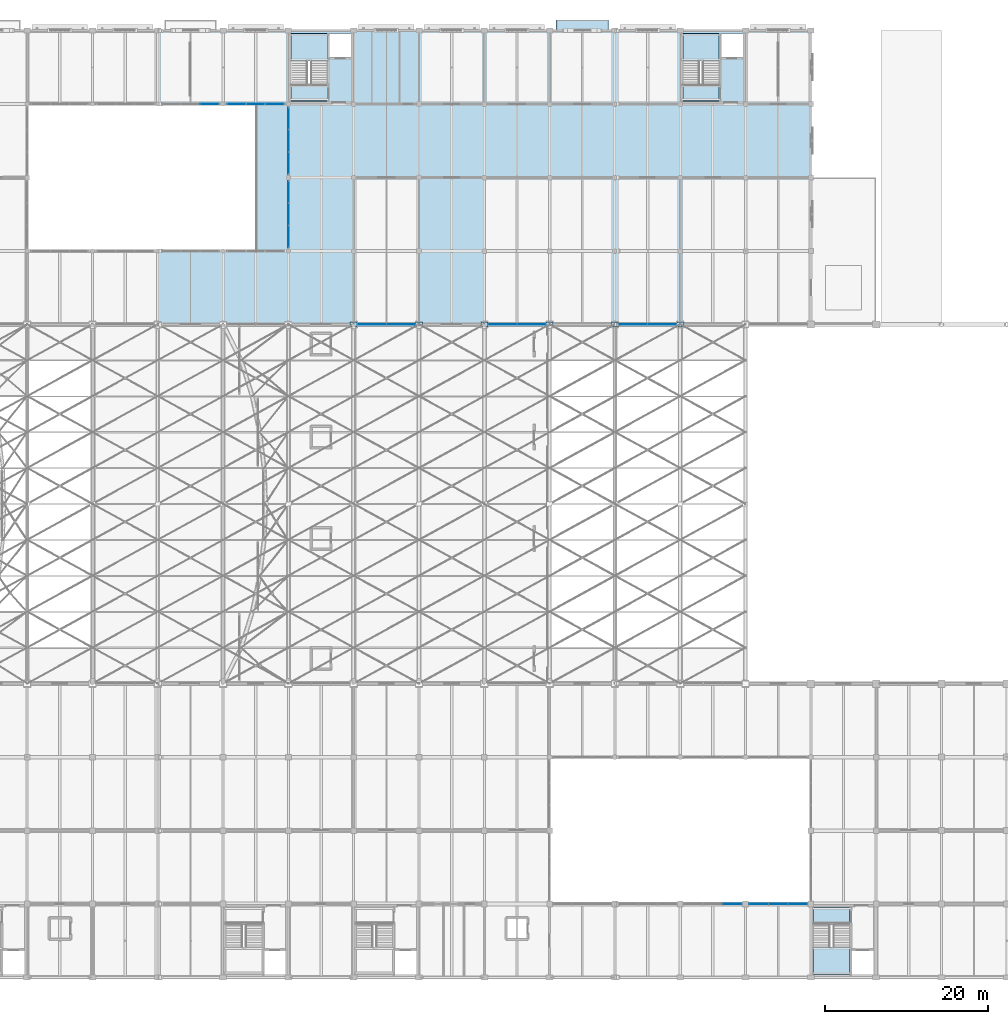
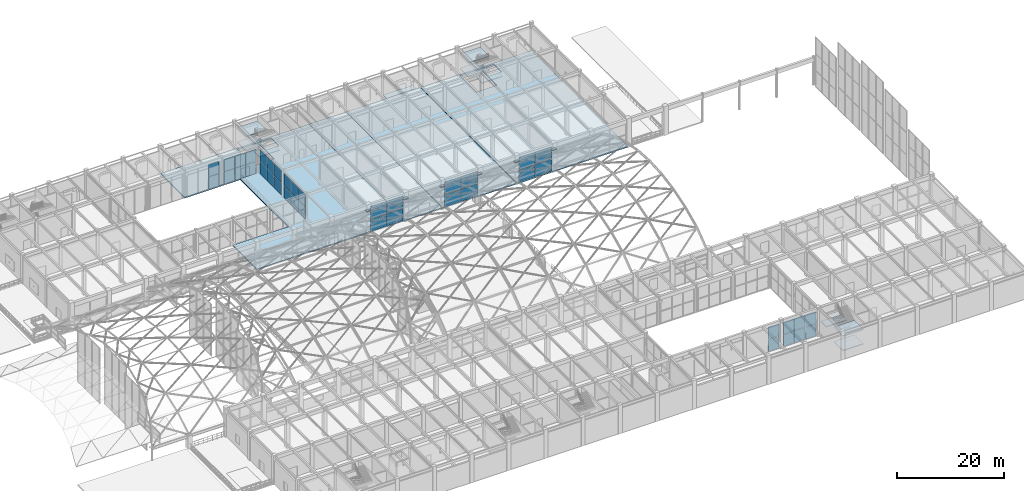
# One storey, part 117 of 163: 46 plates, 14 slabs, 12 elements without a shape of their own.
"""IFC4 building model written with IfcOpenShell, lengths in metres."""

from ifc_helpers import new_model, si_unit, direction, frame, origin, origin_2d, place, context, subcontext, project, spatial, polyline, rectangle, outline, extrude, material, layer, layer_set, type_object, element, aggregate, save


model = new_model("IFC4")

# Units and contexts
model_context = context("Model", 3, precision=1e-05, world=origin(), true_north=direction((0.0, 1.0)))
body_context = subcontext(model_context, "Body", "Model", "MODEL_VIEW")
ifc_project = project(units=[si_unit("LENGTHUNIT", "METRE"), si_unit("AREAUNIT", "SQUARE_METRE"), si_unit("VOLUMEUNIT", "CUBIC_METRE"), si_unit("PLANEANGLEUNIT", "RADIAN"), si_unit("MASSUNIT", "GRAM", prefix="KILO")], contexts=[model_context])

# Site, building, storey
site_placement = place(None, origin())
site = spatial("IfcSite", under=ifc_project, at=site_placement, CompositionType="ELEMENT")
building_placement = place(site_placement, origin())
building = spatial("IfcBuilding", under=site, at=building_placement, Name="Varnabhumi Central Station", CompositionType="ELEMENT")
storey_placement = place(building_placement, frame((0.0, 0.0, 9.60009765625)))
storey = spatial("IfcBuildingStorey", under=building, at=storey_placement, Name="L02", CompositionType="ELEMENT", Elevation=9.60009765625)

# Curtain wall, plates
ifc_material_1 = material(Name="Anodised aluminium 6063-T6", Category="aluminium")
curtain_wall_type_1 = type_object("IfcCurtainWallType", Name="CW-PATIO-LOGGIA-L2", PredefinedType="NOTDEFINED", material=ifc_material_1)
curtain_wall_1_placement = place(storey_placement, origin())
curtain_wall_1 = element("IfcCurtainWall", 1, at=curtain_wall_1_placement, inside=storey, type_object=curtain_wall_type_1, Name="Curtain Wall CW-NP2W1", PredefinedType="NOTDEFINED")
ifc_material_2 = material(Name="Laminated low-E double glazing", Category="glass")
ifc_layer_1 = layer(ifc_material_2, 0.035888671875, Name="Laminated low-E double glazing", Category="glass")
ifc_layer_set_1 = layer_set([ifc_layer_1], Name="Laminated low-E double glazing")
plate_type_1 = type_object("IfcPlateType", Name="CW-PNL-GLZ-2", PredefinedType="CURTAIN_PANEL", material=ifc_layer_set_1)
plate_1_placement = place(storey_placement, frame((80.0, 90.780029296875, 0.0400390625), z_axis=(0.0, 0.0, 1.0), x_axis=(0.0, 1.0, 0.0)))
plate_1 = element("IfcPlate", 2, at=plate_1_placement, type_object=plate_type_1, Name="Glazed Panel CW-NP2W1-P11", PredefinedType="CURTAIN_PANEL", context=body_context, shape_type="SweptSolid", body=[
    extrude(rectangle(XDim=2.639892578125, YDim=0.035888671875, at=origin_2d()), origin(), (0.0, 0.0, 1.0), 2.739990234375),
])
plate_2_placement = place(storey_placement, frame((80.0, 90.780029296875, 2.85986328125), z_axis=(0.0, 0.0, 1.0), x_axis=(0.0, 1.0, 0.0)))
plate_2 = element("IfcPlate", 3, at=plate_2_placement, type_object=plate_type_1, Name="Glazed Panel CW-NP2W1-P12", PredefinedType="CURTAIN_PANEL", context=body_context, shape_type="SweptSolid", body=[
    extrude(rectangle(XDim=2.639892578125, YDim=0.035888671875, at=origin_2d()), origin(), (0.0, 0.0, 1.0), 2.739990234375),
])
plate_3_placement = place(storey_placement, frame((80.0, 93.5, 0.0400390625), z_axis=(0.0, 0.0, 1.0), x_axis=(0.0, 1.0, 0.0)))
plate_3 = element("IfcPlate", 4, at=plate_3_placement, type_object=plate_type_1, Name="Glazed Panel CW-NP2W1-P21", PredefinedType="CURTAIN_PANEL", context=body_context, shape_type="SweptSolid", body=[
    extrude(rectangle(XDim=2.639892578125, YDim=0.035888671875, at=origin_2d()), origin(), (0.0, 0.0, 1.0), 2.739990234375),
])
plate_4_placement = place(storey_placement, frame((80.0, 93.5, 2.85986328125), z_axis=(0.0, 0.0, 1.0), x_axis=(0.0, 1.0, 0.0)))
plate_4 = element("IfcPlate", 5, at=plate_4_placement, type_object=plate_type_1, Name="Glazed Panel CW-NP2W1-P22", PredefinedType="CURTAIN_PANEL", context=body_context, shape_type="SweptSolid", body=[
    extrude(rectangle(XDim=2.639892578125, YDim=0.035888671875, at=origin_2d()), origin(), (0.0, 0.0, 1.0), 2.739990234375),
])
plate_5_placement = place(storey_placement, frame((80.0, 96.219970703125, 0.0400390625), z_axis=(0.0, 0.0, 1.0), x_axis=(0.0, 1.0, 0.0)))
plate_5 = element("IfcPlate", 6, at=plate_5_placement, type_object=plate_type_1, Name="Glazed Panel CW-NP2W1-P31", PredefinedType="CURTAIN_PANEL", context=body_context, shape_type="SweptSolid", body=[
    extrude(rectangle(XDim=2.639892578125, YDim=0.035888671875, at=origin_2d()), origin(), (0.0, 0.0, 1.0), 2.739990234375),
])
plate_6_placement = place(storey_placement, frame((80.0, 96.219970703125, 2.85986328125), z_axis=(0.0, 0.0, 1.0), x_axis=(0.0, 1.0, 0.0)))
plate_6 = element("IfcPlate", 7, at=plate_6_placement, type_object=plate_type_1, Name="Glazed Panel CW-NP2W1-P32", PredefinedType="CURTAIN_PANEL", context=body_context, shape_type="SweptSolid", body=[
    extrude(rectangle(XDim=2.639892578125, YDim=0.035888671875, at=origin_2d()), origin(), (0.0, 0.0, 1.0), 2.739990234375),
])
aggregate(curtain_wall_1, [plate_1, plate_2, plate_3, plate_4, plate_5, plate_6])

curtain_wall_2_placement = place(storey_placement, origin())
curtain_wall_2 = element("IfcCurtainWall", 8, at=curtain_wall_2_placement, inside=storey, type_object=curtain_wall_type_1, Name="Curtain Wall CW-NP2W2", PredefinedType="NOTDEFINED")
plate_7_placement = place(storey_placement, frame((80.0, 99.780029296875, 0.0400390625), z_axis=(0.0, 0.0, 1.0), x_axis=(0.0, 1.0, 0.0)))
plate_7 = element("IfcPlate", 9, at=plate_7_placement, type_object=plate_type_1, Name="Glazed Panel CW-NP2W2-P11", PredefinedType="CURTAIN_PANEL", context=body_context, shape_type="SweptSolid", body=[
    extrude(rectangle(XDim=2.639892578125, YDim=0.035888671875, at=origin_2d()), origin(), (0.0, 0.0, 1.0), 2.739990234375),
])
plate_8_placement = place(storey_placement, frame((80.0, 99.780029296875, 2.85986328125), z_axis=(0.0, 0.0, 1.0), x_axis=(0.0, 1.0, 0.0)))
plate_8 = element("IfcPlate", 10, at=plate_8_placement, type_object=plate_type_1, Name="Glazed Panel CW-NP2W2-P12", PredefinedType="CURTAIN_PANEL", context=body_context, shape_type="SweptSolid", body=[
    extrude(rectangle(XDim=2.639892578125, YDim=0.035888671875, at=origin_2d()), origin(), (0.0, 0.0, 1.0), 2.739990234375),
])
plate_9_placement = place(storey_placement, frame((80.0, 102.5, 0.0400390625), z_axis=(0.0, 0.0, 1.0), x_axis=(0.0, 1.0, 0.0)))
plate_9 = element("IfcPlate", 11, at=plate_9_placement, type_object=plate_type_1, Name="Glazed Panel CW-NP2W2-P21", PredefinedType="CURTAIN_PANEL", context=body_context, shape_type="SweptSolid", body=[
    extrude(rectangle(XDim=2.639892578125, YDim=0.035888671875, at=origin_2d()), origin(), (0.0, 0.0, 1.0), 2.739990234375),
])
plate_10_placement = place(storey_placement, frame((80.0, 102.5, 2.85986328125), z_axis=(0.0, 0.0, 1.0), x_axis=(0.0, 1.0, 0.0)))
plate_10 = element("IfcPlate", 12, at=plate_10_placement, type_object=plate_type_1, Name="Glazed Panel CW-NP2W2-P22", PredefinedType="CURTAIN_PANEL", context=body_context, shape_type="SweptSolid", body=[
    extrude(rectangle(XDim=2.639892578125, YDim=0.035888671875, at=origin_2d()), origin(), (0.0, 0.0, 1.0), 2.739990234375),
])
plate_11_placement = place(storey_placement, frame((80.0, 105.219970703125, 0.0400390625), z_axis=(0.0, 0.0, 1.0), x_axis=(0.0, 1.0, 0.0)))
plate_11 = element("IfcPlate", 13, at=plate_11_placement, type_object=plate_type_1, Name="Glazed Panel CW-NP2W2-P31", PredefinedType="CURTAIN_PANEL", context=body_context, shape_type="SweptSolid", body=[
    extrude(rectangle(XDim=2.639892578125, YDim=0.035888671875, at=origin_2d()), origin(), (0.0, 0.0, 1.0), 2.739990234375),
])
plate_12_placement = place(storey_placement, frame((80.0, 105.219970703125, 2.85986328125), z_axis=(0.0, 0.0, 1.0), x_axis=(0.0, 1.0, 0.0)))
plate_12 = element("IfcPlate", 14, at=plate_12_placement, type_object=plate_type_1, Name="Glazed Panel CW-NP2W2-P32", PredefinedType="CURTAIN_PANEL", context=body_context, shape_type="SweptSolid", body=[
    extrude(rectangle(XDim=2.639892578125, YDim=0.035888671875, at=origin_2d()), origin(), (0.0, 0.0, 1.0), 2.739990234375),
])
aggregate(curtain_wall_2, [plate_7, plate_8, plate_9, plate_10, plate_11, plate_12])

curtain_wall_type_2 = type_object("IfcCurtainWallType", Name="CW-SPINE-SCREEN-L2", PredefinedType="NOTDEFINED", material=ifc_material_1)
curtain_wall_3_placement = place(storey_placement, origin())
curtain_wall_3 = element("IfcCurtainWall", 15, at=curtain_wall_3_placement, inside=storey, type_object=curtain_wall_type_2, Name="Curtain Wall CW-NS208", PredefinedType="NOTDEFINED")
ifc_layer_2 = layer(ifc_material_2, 0.035888671875, Name="Laminated low-E double glazing", Category="glass")
ifc_layer_set_2 = layer_set([ifc_layer_2], Name="Laminated low-E double glazing")
plate_type_2 = type_object("IfcPlateType", Name="CW-PNL-GLZ-5", PredefinedType="CURTAIN_PANEL", material=ifc_layer_set_2)
plate_13_placement = place(storey_placement, frame((90.22509765625, 80.0, 0.0400390625), z_axis=(0.0, 0.0, 1.0), x_axis=(1.0, 0.0, 0.0)))
plate_13 = element("IfcPlate", 16, at=plate_13_placement, type_object=plate_type_2, Name="Glazed Panel CW-NS208-P11", PredefinedType="CURTAIN_PANEL", context=body_context, shape_type="SweptSolid", body=[
    extrude(rectangle(XDim=3.469970703125, YDim=0.035888671875, at=origin_2d()), origin(), (0.0, 0.0, 1.0), 2.739990234375),
])
plate_14_placement = place(storey_placement, frame((90.22509765625, 80.0, 2.85986328125), z_axis=(0.0, 0.0, 1.0), x_axis=(1.0, 0.0, 0.0)))
plate_14 = element("IfcPlate", 17, at=plate_14_placement, type_object=plate_type_2, Name="Glazed Panel CW-NS208-P12", PredefinedType="CURTAIN_PANEL", context=body_context, shape_type="SweptSolid", body=[
    extrude(rectangle(XDim=3.469970703125, YDim=0.035888671875, at=origin_2d()), origin(), (0.0, 0.0, 1.0), 2.739990234375),
])
plate_15_placement = place(storey_placement, frame((93.77490234375, 80.0, 0.0400390625), z_axis=(0.0, 0.0, 1.0), x_axis=(1.0, 0.0, 0.0)))
plate_15 = element("IfcPlate", 18, at=plate_15_placement, type_object=plate_type_2, Name="Glazed Panel CW-NS208-P21", PredefinedType="CURTAIN_PANEL", context=body_context, shape_type="SweptSolid", body=[
    extrude(rectangle(XDim=3.469970703125, YDim=0.035888671875, at=origin_2d()), origin(), (0.0, 0.0, 1.0), 2.739990234375),
])
plate_16_placement = place(storey_placement, frame((93.77490234375, 80.0, 2.85986328125), z_axis=(0.0, 0.0, 1.0), x_axis=(1.0, 0.0, 0.0)))
plate_16 = element("IfcPlate", 19, at=plate_16_placement, type_object=plate_type_2, Name="Glazed Panel CW-NS208-P22", PredefinedType="CURTAIN_PANEL", context=body_context, shape_type="SweptSolid", body=[
    extrude(rectangle(XDim=3.469970703125, YDim=0.035888671875, at=origin_2d()), origin(), (0.0, 0.0, 1.0), 2.739990234375),
])
aggregate(curtain_wall_3, [plate_13, plate_14, plate_15, plate_16])

curtain_wall_4_placement = place(storey_placement, origin())
curtain_wall_4 = element("IfcCurtainWall", 20, at=curtain_wall_4_placement, inside=storey, type_object=curtain_wall_type_2, Name="Curtain Wall CW-NS210", PredefinedType="NOTDEFINED")
plate_17_placement = place(storey_placement, frame((106.22509765625, 80.0, 0.0400390625), z_axis=(0.0, 0.0, 1.0), x_axis=(1.0, 0.0, 0.0)))
plate_17 = element("IfcPlate", 21, at=plate_17_placement, type_object=plate_type_2, Name="Glazed Panel CW-NS210-P11", PredefinedType="CURTAIN_PANEL", context=body_context, shape_type="SweptSolid", body=[
    extrude(rectangle(XDim=3.469970703125, YDim=0.035888671875, at=origin_2d()), origin(), (0.0, 0.0, 1.0), 2.739990234375),
])
plate_18_placement = place(storey_placement, frame((106.22509765625, 80.0, 2.85986328125), z_axis=(0.0, 0.0, 1.0), x_axis=(1.0, 0.0, 0.0)))
plate_18 = element("IfcPlate", 22, at=plate_18_placement, type_object=plate_type_2, Name="Glazed Panel CW-NS210-P12", PredefinedType="CURTAIN_PANEL", context=body_context, shape_type="SweptSolid", body=[
    extrude(rectangle(XDim=3.469970703125, YDim=0.035888671875, at=origin_2d()), origin(), (0.0, 0.0, 1.0), 2.739990234375),
])
plate_19_placement = place(storey_placement, frame((109.77490234375, 80.0, 0.0400390625), z_axis=(0.0, 0.0, 1.0), x_axis=(1.0, 0.0, 0.0)))
plate_19 = element("IfcPlate", 23, at=plate_19_placement, type_object=plate_type_2, Name="Glazed Panel CW-NS210-P21", PredefinedType="CURTAIN_PANEL", context=body_context, shape_type="SweptSolid", body=[
    extrude(rectangle(XDim=3.469970703125, YDim=0.035888671875, at=origin_2d()), origin(), (0.0, 0.0, 1.0), 2.739990234375),
])
plate_20_placement = place(storey_placement, frame((109.77490234375, 80.0, 2.85986328125), z_axis=(0.0, 0.0, 1.0), x_axis=(1.0, 0.0, 0.0)))
plate_20 = element("IfcPlate", 24, at=plate_20_placement, type_object=plate_type_2, Name="Glazed Panel CW-NS210-P22", PredefinedType="CURTAIN_PANEL", context=body_context, shape_type="SweptSolid", body=[
    extrude(rectangle(XDim=3.469970703125, YDim=0.035888671875, at=origin_2d()), origin(), (0.0, 0.0, 1.0), 2.739990234375),
])
aggregate(curtain_wall_4, [plate_17, plate_18, plate_19, plate_20])

curtain_wall_5_placement = place(storey_placement, origin())
curtain_wall_5 = element("IfcCurtainWall", 25, at=curtain_wall_5_placement, inside=storey, type_object=curtain_wall_type_2, Name="Curtain Wall CW-NS212", PredefinedType="NOTDEFINED")
plate_21_placement = place(storey_placement, frame((122.22509765625, 80.0, 0.0400390625), z_axis=(0.0, 0.0, 1.0), x_axis=(1.0, 0.0, 0.0)))
plate_21 = element("IfcPlate", 26, at=plate_21_placement, type_object=plate_type_2, Name="Glazed Panel CW-NS212-P11", PredefinedType="CURTAIN_PANEL", context=body_context, shape_type="SweptSolid", body=[
    extrude(rectangle(XDim=3.469970703125, YDim=0.035888671875, at=origin_2d()), origin(), (0.0, 0.0, 1.0), 2.739990234375),
])
plate_22_placement = place(storey_placement, frame((122.22509765625, 80.0, 2.85986328125), z_axis=(0.0, 0.0, 1.0), x_axis=(1.0, 0.0, 0.0)))
plate_22 = element("IfcPlate", 27, at=plate_22_placement, type_object=plate_type_2, Name="Glazed Panel CW-NS212-P12", PredefinedType="CURTAIN_PANEL", context=body_context, shape_type="SweptSolid", body=[
    extrude(rectangle(XDim=3.469970703125, YDim=0.035888671875, at=origin_2d()), origin(), (0.0, 0.0, 1.0), 2.739990234375),
])
plate_23_placement = place(storey_placement, frame((125.77490234375, 80.0, 0.0400390625), z_axis=(0.0, 0.0, 1.0), x_axis=(1.0, 0.0, 0.0)))
plate_23 = element("IfcPlate", 28, at=plate_23_placement, type_object=plate_type_2, Name="Glazed Panel CW-NS212-P21", PredefinedType="CURTAIN_PANEL", context=body_context, shape_type="SweptSolid", body=[
    extrude(rectangle(XDim=3.469970703125, YDim=0.035888671875, at=origin_2d()), origin(), (0.0, 0.0, 1.0), 2.739990234375),
])
plate_24_placement = place(storey_placement, frame((125.77490234375, 80.0, 2.85986328125), z_axis=(0.0, 0.0, 1.0), x_axis=(1.0, 0.0, 0.0)))
plate_24 = element("IfcPlate", 29, at=plate_24_placement, type_object=plate_type_2, Name="Glazed Panel CW-NS212-P22", PredefinedType="CURTAIN_PANEL", context=body_context, shape_type="SweptSolid", body=[
    extrude(rectangle(XDim=3.469970703125, YDim=0.035888671875, at=origin_2d()), origin(), (0.0, 0.0, 1.0), 2.739990234375),
])
aggregate(curtain_wall_5, [plate_21, plate_22, plate_23, plate_24])

curtain_wall_6_placement = place(storey_placement, origin())
curtain_wall_6 = element("IfcCurtainWall", 30, at=curtain_wall_6_placement, inside=storey, type_object=curtain_wall_type_1, Name="Curtain Wall CW-NP2N3", PredefinedType="NOTDEFINED")
plate_25_placement = place(storey_placement, frame((70.320068359375, 107.0, 0.0400390625), z_axis=(0.0, 0.0, 1.0), x_axis=(1.0, 0.0, 0.0)))
plate_25 = element("IfcPlate", 31, at=plate_25_placement, type_object=plate_type_2, Name="Glazed Panel CW-NP2N3-P31", PredefinedType="CURTAIN_PANEL", context=body_context, shape_type="SweptSolid", body=[
    extrude(rectangle(XDim=2.239990234375, YDim=0.035888671875, at=origin_2d()), origin(), (0.0, 0.0, 1.0), 2.739990234375),
])
plate_26_placement = place(storey_placement, frame((70.320068359375, 107.0, 2.85986328125), z_axis=(0.0, 0.0, 1.0), x_axis=(1.0, 0.0, 0.0)))
plate_26 = element("IfcPlate", 32, at=plate_26_placement, type_object=plate_type_2, Name="Glazed Panel CW-NP2N3-P32", PredefinedType="CURTAIN_PANEL", context=body_context, shape_type="SweptSolid", body=[
    extrude(rectangle(XDim=2.239990234375, YDim=0.035888671875, at=origin_2d()), origin(), (0.0, 0.0, 1.0), 2.739990234375),
])
aggregate(curtain_wall_6, [plate_25, plate_26])

curtain_wall_7_placement = place(storey_placement, origin())
curtain_wall_7 = element("IfcCurtainWall", 33, at=curtain_wall_7_placement, inside=storey, type_object=curtain_wall_type_1, Name="Curtain Wall CW-NP2N4", PredefinedType="NOTDEFINED")
ifc_layer_3 = layer(ifc_material_2, 0.035888671875, Name="Laminated low-E double glazing", Category="glass")
ifc_layer_set_3 = layer_set([ifc_layer_3], Name="Laminated low-E double glazing")
plate_type_3 = type_object("IfcPlateType", Name="CW-PNL-GLZ-6", PredefinedType="CURTAIN_PANEL", material=ifc_layer_set_3)
plate_27_placement = place(storey_placement, frame((73.679931640625, 107.0, 0.0400390625), z_axis=(0.0, 0.0, 1.0), x_axis=(1.0, 0.0, 0.0)))
plate_27 = element("IfcPlate", 34, at=plate_27_placement, type_object=plate_type_3, Name="Glazed Panel CW-NP2N4-P11", PredefinedType="CURTAIN_PANEL", context=body_context, shape_type="SweptSolid", body=[
    extrude(rectangle(XDim=2.239990234375, YDim=0.035888671875, at=origin_2d()), origin(), (0.0, 0.0, 1.0), 2.739990234375),
])
plate_28_placement = place(storey_placement, frame((73.679931640625, 107.0, 2.85986328125), z_axis=(0.0, 0.0, 1.0), x_axis=(1.0, 0.0, 0.0)))
plate_28 = element("IfcPlate", 35, at=plate_28_placement, type_object=plate_type_3, Name="Glazed Panel CW-NP2N4-P12", PredefinedType="CURTAIN_PANEL", context=body_context, shape_type="SweptSolid", body=[
    extrude(rectangle(XDim=2.239990234375, YDim=0.035888671875, at=origin_2d()), origin(), (0.0, 0.0, 1.0), 2.739990234375),
])
plate_29_placement = place(storey_placement, frame((76.0, 107.0, 0.0400390625), z_axis=(0.0, 0.0, 1.0), x_axis=(1.0, 0.0, 0.0)))
plate_29 = element("IfcPlate", 36, at=plate_29_placement, type_object=plate_type_3, Name="Glazed Panel CW-NP2N4-P21", PredefinedType="CURTAIN_PANEL", context=body_context, shape_type="SweptSolid", body=[
    extrude(rectangle(XDim=2.239990234375, YDim=0.035888671875, at=origin_2d()), origin(), (0.0, 0.0, 1.0), 2.739990234375),
])
plate_30_placement = place(storey_placement, frame((76.0, 107.0, 2.85986328125), z_axis=(0.0, 0.0, 1.0), x_axis=(1.0, 0.0, 0.0)))
plate_30 = element("IfcPlate", 37, at=plate_30_placement, type_object=plate_type_3, Name="Glazed Panel CW-NP2N4-P22", PredefinedType="CURTAIN_PANEL", context=body_context, shape_type="SweptSolid", body=[
    extrude(rectangle(XDim=2.239990234375, YDim=0.035888671875, at=origin_2d()), origin(), (0.0, 0.0, 1.0), 2.739990234375),
])
plate_31_placement = place(storey_placement, frame((78.320068359375, 107.0, 0.0400390625), z_axis=(0.0, 0.0, 1.0), x_axis=(1.0, 0.0, 0.0)))
plate_31 = element("IfcPlate", 38, at=plate_31_placement, type_object=plate_type_3, Name="Glazed Panel CW-NP2N4-P31", PredefinedType="CURTAIN_PANEL", context=body_context, shape_type="SweptSolid", body=[
    extrude(rectangle(XDim=2.239990234375, YDim=0.035888671875, at=origin_2d()), origin(), (0.0, 0.0, 1.0), 2.739990234375),
])
plate_32_placement = place(storey_placement, frame((78.320068359375, 107.0, 2.85986328125), z_axis=(0.0, 0.0, 1.0), x_axis=(1.0, 0.0, 0.0)))
plate_32 = element("IfcPlate", 39, at=plate_32_placement, type_object=plate_type_3, Name="Glazed Panel CW-NP2N4-P32", PredefinedType="CURTAIN_PANEL", context=body_context, shape_type="SweptSolid", body=[
    extrude(rectangle(XDim=2.239990234375, YDim=0.035888671875, at=origin_2d()), origin(), (0.0, 0.0, 1.0), 2.739990234375),
])
aggregate(curtain_wall_7, [plate_27, plate_28, plate_29, plate_30, plate_31, plate_32])

curtain_wall_8_placement = place(storey_placement, origin())
curtain_wall_8 = element("IfcCurtainWall", 40, at=curtain_wall_8_placement, inside=storey, type_object=curtain_wall_type_1, Name="Curtain Wall CW-SP2S3", PredefinedType="NOTDEFINED")
ifc_layer_4 = layer(ifc_material_2, 0.035888671875, Name="Laminated low-E double glazing", Category="glass")
ifc_layer_set_4 = layer_set([ifc_layer_4], Name="Laminated low-E double glazing")
plate_type_4 = type_object("IfcPlateType", Name="CW-PNL-GLZ-8", PredefinedType="CURTAIN_PANEL", material=ifc_layer_set_4)
plate_33_placement = place(storey_placement, frame((134.38671875, 9.0, 0.0400390625), z_axis=(0.0, 0.0, 1.0), x_axis=(1.0, 0.0, 0.0)))
plate_33 = element("IfcPlate", 41, at=plate_33_placement, type_object=plate_type_4, Name="Glazed Panel CW-SP2S3-P31", PredefinedType="CURTAIN_PANEL", context=body_context, shape_type="SweptSolid", body=[
    extrude(rectangle(XDim=2.306640625, YDim=0.035888671875, at=origin_2d()), origin(), (0.0, 0.0, 1.0), 2.739990234375),
])
plate_34_placement = place(storey_placement, frame((134.38671875, 9.0, 2.85986328125), z_axis=(0.0, 0.0, 1.0), x_axis=(1.0, 0.0, 0.0)))
plate_34 = element("IfcPlate", 42, at=plate_34_placement, type_object=plate_type_4, Name="Glazed Panel CW-SP2S3-P32", PredefinedType="CURTAIN_PANEL", context=body_context, shape_type="SweptSolid", body=[
    extrude(rectangle(XDim=2.306640625, YDim=0.035888671875, at=origin_2d()), origin(), (0.0, 0.0, 1.0), 2.739990234375),
])
aggregate(curtain_wall_8, [plate_33, plate_34])

curtain_wall_9_placement = place(storey_placement, origin())
curtain_wall_9 = element("IfcCurtainWall", 43, at=curtain_wall_9_placement, inside=storey, type_object=curtain_wall_type_1, Name="Curtain Wall CW-SP2S4", PredefinedType="NOTDEFINED")
ifc_layer_5 = layer(ifc_material_2, 0.035888671875, Name="Laminated low-E double glazing", Category="glass")
ifc_layer_set_5 = layer_set([ifc_layer_5], Name="Laminated low-E double glazing")
plate_type_5 = type_object("IfcPlateType", Name="CW-PNL-GLZ-9", PredefinedType="CURTAIN_PANEL", material=ifc_layer_set_5)
plate_35_placement = place(storey_placement, frame((137.61328125, 9.0, 0.0400390625), z_axis=(0.0, 0.0, 1.0), x_axis=(1.0, 0.0, 0.0)))
plate_35 = element("IfcPlate", 44, at=plate_35_placement, type_object=plate_type_5, Name="Glazed Panel CW-SP2S4-P11", PredefinedType="CURTAIN_PANEL", context=body_context, shape_type="SweptSolid", body=[
    extrude(rectangle(XDim=2.306640625, YDim=0.035888671875, at=origin_2d()), origin(), (0.0, 0.0, 1.0), 2.739990234375),
])
plate_36_placement = place(storey_placement, frame((137.61328125, 9.0, 2.85986328125), z_axis=(0.0, 0.0, 1.0), x_axis=(1.0, 0.0, 0.0)))
plate_36 = element("IfcPlate", 45, at=plate_36_placement, type_object=plate_type_5, Name="Glazed Panel CW-SP2S4-P12", PredefinedType="CURTAIN_PANEL", context=body_context, shape_type="SweptSolid", body=[
    extrude(rectangle(XDim=2.306640625, YDim=0.035888671875, at=origin_2d()), origin(), (0.0, 0.0, 1.0), 2.739990234375),
])
plate_37_placement = place(storey_placement, frame((140.0, 9.0, 0.0400390625), z_axis=(0.0, 0.0, 1.0), x_axis=(1.0, 0.0, 0.0)))
plate_37 = element("IfcPlate", 46, at=plate_37_placement, type_object=plate_type_5, Name="Glazed Panel CW-SP2S4-P21", PredefinedType="CURTAIN_PANEL", context=body_context, shape_type="SweptSolid", body=[
    extrude(rectangle(XDim=2.306640625, YDim=0.035888671875, at=origin_2d()), origin(), (0.0, 0.0, 1.0), 2.739990234375),
])
plate_38_placement = place(storey_placement, frame((140.0, 9.0, 2.85986328125), z_axis=(0.0, 0.0, 1.0), x_axis=(1.0, 0.0, 0.0)))
plate_38 = element("IfcPlate", 47, at=plate_38_placement, type_object=plate_type_5, Name="Glazed Panel CW-SP2S4-P22", PredefinedType="CURTAIN_PANEL", context=body_context, shape_type="SweptSolid", body=[
    extrude(rectangle(XDim=2.306640625, YDim=0.035888671875, at=origin_2d()), origin(), (0.0, 0.0, 1.0), 2.739990234375),
])
plate_39_placement = place(storey_placement, frame((142.38671875, 9.0, 0.0400390625), z_axis=(0.0, 0.0, 1.0), x_axis=(1.0, 0.0, 0.0)))
plate_39 = element("IfcPlate", 48, at=plate_39_placement, type_object=plate_type_5, Name="Glazed Panel CW-SP2S4-P31", PredefinedType="CURTAIN_PANEL", context=body_context, shape_type="SweptSolid", body=[
    extrude(rectangle(XDim=2.306640625, YDim=0.035888671875, at=origin_2d()), origin(), (0.0, 0.0, 1.0), 2.739990234375),
])
plate_40_placement = place(storey_placement, frame((142.38671875, 9.0, 2.85986328125), z_axis=(0.0, 0.0, 1.0), x_axis=(1.0, 0.0, 0.0)))
plate_40 = element("IfcPlate", 49, at=plate_40_placement, type_object=plate_type_5, Name="Glazed Panel CW-SP2S4-P32", PredefinedType="CURTAIN_PANEL", context=body_context, shape_type="SweptSolid", body=[
    extrude(rectangle(XDim=2.306640625, YDim=0.035888671875, at=origin_2d()), origin(), (0.0, 0.0, 1.0), 2.739990234375),
])
aggregate(curtain_wall_9, [plate_35, plate_36, plate_37, plate_38, plate_39, plate_40])

# Plates
ifc_material_3 = material(Name="Structural steel E350", Category="steel")
ifc_layer_6 = layer(ifc_material_3, 0.031982421875, Name="Structural steel E350", Category="steel")
ifc_layer_set_6 = layer_set([ifc_layer_6], Name="Structural steel E350")
plate_type_6 = type_object("IfcPlateType", Name="PLT-GUSSET-A", PredefinedType="USERDEFINED", material=ifc_layer_set_6)
for number, where, z_axis, x_axis, name in (
    (50, (88.0, 80.0, 4.93408203125), (0.0, 0.0, 1.0), (1.0, 0.0, 0.0), "Departure Concourse Vault Arch Springing Gusset 3-N"),
    (51, (96.0, 80.0, 4.93408203125), (0.0, 0.0, 1.0), (1.0, 0.0, 0.0), "Departure Concourse Vault Arch Springing Gusset 4-N"),
    (52, (104.0, 80.0, 4.93408203125), (0.0, 0.0, 1.0), (1.0, 0.0, 0.0), "Departure Concourse Vault Arch Springing Gusset 5-N"),
    (53, (112.0, 80.0, 4.93408203125), (0.0, 0.0, 1.0), (1.0, 0.0, 0.0), "Departure Concourse Vault Arch Springing Gusset 6-N"),
    (54, (120.0, 80.0, 4.93408203125), (0.0, 0.0, 1.0), (1.0, 0.0, 0.0), "Departure Concourse Vault Arch Springing Gusset 7-N"),
    (55, (128.0, 80.0, 4.93408203125), (0.0, 0.0, 1.0), (1.0, 0.0, 0.0), "Departure Concourse Vault Arch Springing Gusset 8-N"),
):
    element("IfcPlate", number, at=place(storey_placement, frame(where, z_axis=z_axis, x_axis=x_axis)), inside=storey, type_object=plate_type_6, Name=name, ObjectType="GUSSET PLATE", PredefinedType="USERDEFINED", context=body_context, shape_type="SweptSolid", body=[
        extrude(rectangle(XDim=0.85009765625, YDim=0.64990234375, at=origin_2d()), origin(), (0.0, 0.0, 1.0), 0.031982421875),
    ])

# Slab
ifc_material_4 = material(Name="Concrete M40", Category="concrete")
ifc_layer_7 = layer(ifc_material_4, 0.25, Name="Concrete M40", Category="concrete")
ifc_layer_set_7 = layer_set([ifc_layer_7], Name="Concrete M40")
slab_type_1 = type_object("IfcSlabType", Name="SLB-AZOTEA-200", PredefinedType="ROOF", material=ifc_layer_set_7)
slab_1_placement = place(storey_placement, frame((0.0, 0.0, -0.25)))
element("IfcSlab", 56, at=slab_1_placement, inside=storey, type_object=slab_type_1, Name="Azotea Roof Garden Slab L02-11", PredefinedType="ROOF", context=body_context, shape_type="SweptSolid", body=[
    extrude(outline(polyline([(112.800048828125, 116.0), (119.199951171875, 116.0), (119.199951171875, 117.300048828125), (112.800048828125, 117.300048828125), (112.800048828125, 116.0)])), origin(), (0.0, 0.0, 1.0), 0.25),
])

# Stair, slabs
stair_type = type_object("IfcStairType", Name="STR-CORE-6600", PredefinedType="DOUBLE_RETURN_STAIR", material=ifc_material_4)
stair_1_placement = place(storey_placement, origin())
stair_1 = element("IfcStair", 57, at=stair_1_placement, inside=storey, type_object=stair_type, Name="Core Stair ST-N2 (L02)", PredefinedType="DOUBLE_RETURN_STAIR")
ifc_layer_8 = layer(ifc_material_4, 0.179931640625, Name="Concrete M40", Category="concrete")
ifc_layer_set_8 = layer_set([ifc_layer_8], Name="Concrete M40")
slab_type_2 = type_object("IfcSlabType", Name="SLB-STAIR-LAND", PredefinedType="LANDING", material=ifc_layer_set_8)
slab_2_placement = place(storey_placement, frame((0.0, 0.0, 1.469970703125)))
slab_2 = element("IfcSlab", 58, at=slab_2_placement, type_object=slab_type_2, Name="ST-N2 L02 Quarter Landing 1", PredefinedType="LANDING", context=body_context, shape_type="SweptSolid", body=[
    extrude(outline(polyline([(80.340087890625, 112.27001953125), (84.760009765625, 112.27001953125), (84.760009765625, 115.639892578125), (80.340087890625, 115.639892578125), (80.340087890625, 112.27001953125)])), origin(), (0.0, 0.0, 1.0), 0.179931640625),
])
slab_3_placement = place(storey_placement, frame((0.0, 0.0, 3.119873046875)))
slab_3 = element("IfcSlab", 59, at=slab_3_placement, type_object=slab_type_2, Name="ST-N2 L02 Mid-Height Landing", PredefinedType="LANDING", context=body_context, shape_type="SweptSolid", body=[
    extrude(outline(polyline([(80.340087890625, 107.360107421875), (84.760009765625, 107.360107421875), (84.760009765625, 109.419921875), (80.340087890625, 109.419921875), (80.340087890625, 107.360107421875)])), origin(), (0.0, 0.0, 1.0), 0.179931640625),
])
slab_4_placement = place(storey_placement, frame((0.0, 0.0, 4.77001953125)))
slab_4 = element("IfcSlab", 60, at=slab_4_placement, type_object=slab_type_2, Name="ST-N2 L02 Quarter Landing 3", PredefinedType="LANDING", context=body_context, shape_type="SweptSolid", body=[
    extrude(outline(polyline([(80.340087890625, 112.27001953125), (84.760009765625, 112.27001953125), (84.760009765625, 115.639892578125), (80.340087890625, 115.639892578125), (80.340087890625, 112.27001953125)])), origin(), (0.0, 0.0, 1.0), 0.179931640625),
])
aggregate(stair_1, [slab_2, slab_3, slab_4])

stair_2_placement = place(storey_placement, origin())
stair_2 = element("IfcStair", 61, at=stair_2_placement, inside=storey, type_object=stair_type, Name="Core Stair ST-N3 (L02)", PredefinedType="DOUBLE_RETURN_STAIR")
slab_5_placement = place(storey_placement, frame((0.0, 0.0, 1.469970703125)))
slab_5 = element("IfcSlab", 62, at=slab_5_placement, type_object=slab_type_2, Name="ST-N3 L02 Quarter Landing 1", PredefinedType="LANDING", context=body_context, shape_type="SweptSolid", body=[
    extrude(outline(polyline([(128.340087890625, 112.27001953125), (132.760009765625, 112.27001953125), (132.760009765625, 115.639892578125), (128.340087890625, 115.639892578125), (128.340087890625, 112.27001953125)])), origin(), (0.0, 0.0, 1.0), 0.179931640625),
])
slab_6_placement = place(storey_placement, frame((0.0, 0.0, 3.119873046875)))
slab_6 = element("IfcSlab", 63, at=slab_6_placement, type_object=slab_type_2, Name="ST-N3 L02 Mid-Height Landing", PredefinedType="LANDING", context=body_context, shape_type="SweptSolid", body=[
    extrude(outline(polyline([(128.340087890625, 107.360107421875), (132.760009765625, 107.360107421875), (132.760009765625, 109.419921875), (128.340087890625, 109.419921875), (128.340087890625, 107.360107421875)])), origin(), (0.0, 0.0, 1.0), 0.179931640625),
])
slab_7_placement = place(storey_placement, frame((0.0, 0.0, 4.77001953125)))
slab_7 = element("IfcSlab", 64, at=slab_7_placement, type_object=slab_type_2, Name="ST-N3 L02 Quarter Landing 3", PredefinedType="LANDING", context=body_context, shape_type="SweptSolid", body=[
    extrude(outline(polyline([(128.340087890625, 112.27001953125), (132.760009765625, 112.27001953125), (132.760009765625, 115.639892578125), (128.340087890625, 115.639892578125), (128.340087890625, 112.27001953125)])), origin(), (0.0, 0.0, 1.0), 0.179931640625),
])
aggregate(stair_2, [slab_5, slab_6, slab_7])

stair_3_placement = place(storey_placement, origin())
stair_3 = element("IfcStair", 65, at=stair_3_placement, inside=storey, type_object=stair_type, Name="Core Stair ST-S3 (L02)", PredefinedType="DOUBLE_RETURN_STAIR")
slab_8_placement = place(storey_placement, frame((0.0, 0.0, 1.469970703125)))
slab_8 = element("IfcSlab", 66, at=slab_8_placement, type_object=slab_type_2, Name="ST-S3 L02 Quarter Landing 1", PredefinedType="LANDING", context=body_context, shape_type="SweptSolid", body=[
    extrude(outline(polyline([(144.340087890625, 0.360107421875), (148.760009765625, 0.360107421875), (148.760009765625, 3.72998046875), (144.340087890625, 3.72998046875), (144.340087890625, 0.360107421875)])), origin(), (0.0, 0.0, 1.0), 0.179931640625),
])
slab_9_placement = place(storey_placement, frame((0.0, 0.0, 3.119873046875)))
slab_9 = element("IfcSlab", 67, at=slab_9_placement, type_object=slab_type_2, Name="ST-S3 L02 Mid-Height Landing", PredefinedType="LANDING", context=body_context, shape_type="SweptSolid", body=[
    extrude(outline(polyline([(144.340087890625, 6.580078125), (148.760009765625, 6.580078125), (148.760009765625, 8.639892578125), (144.340087890625, 8.639892578125), (144.340087890625, 6.580078125)])), origin(), (0.0, 0.0, 1.0), 0.179931640625),
])
slab_10_placement = place(storey_placement, frame((0.0, 0.0, 4.77001953125)))
slab_10 = element("IfcSlab", 68, at=slab_10_placement, type_object=slab_type_2, Name="ST-S3 L02 Quarter Landing 3", PredefinedType="LANDING", context=body_context, shape_type="SweptSolid", body=[
    extrude(outline(polyline([(144.340087890625, 0.360107421875), (148.760009765625, 0.360107421875), (148.760009765625, 3.72998046875), (144.340087890625, 3.72998046875), (144.340087890625, 0.360107421875)])), origin(), (0.0, 0.0, 1.0), 0.179931640625),
])
aggregate(stair_3, [slab_8, slab_9, slab_10])

# Slabs
ifc_layer_9 = layer(ifc_material_4, 0.25, Name="Concrete M40", Category="concrete")
ifc_layer_set_9 = layer_set([ifc_layer_9], Name="Concrete M40")
slab_type_3 = type_object("IfcSlabType", Name="SLB-WING-250", PredefinedType="FLOOR", material=ifc_layer_set_9)
slab_11_placement = place(storey_placement, frame((0.0, 0.0, -0.25)))
element("IfcSlab", 69, at=slab_11_placement, inside=storey, type_object=slab_type_3, Name="North Wing L02 Floor Slab Zone 2", PredefinedType="FLOOR", context=body_context, shape_type="SweptSolid", body=[
    extrude(outline(polyline([(64.06005859375, 80.0), (96.0, 80.0), (96.0, 116.0), (64.06005859375, 116.0), (64.06005859375, 107.0), (76.0, 107.0), (76.0, 89.0), (64.06005859375, 89.0), (64.06005859375, 80.0)]), holes=[polyline([(80.330078125, 109.419921875), (84.760009765625, 109.419921875), (84.760009765625, 115.64990234375), (80.330078125, 115.64990234375), (80.330078125, 109.419921875)]), polyline([(85.0400390625, 112.75), (87.669921875, 112.75), (87.669921875, 115.64990234375), (85.0400390625, 115.64990234375), (85.0400390625, 112.75)])]), origin(), (0.0, 0.0, 1.0), 0.25),
])
slab_12_placement = place(storey_placement, frame((0.0, 0.0, -0.25)))
element("IfcSlab", 70, at=slab_12_placement, inside=storey, type_object=slab_type_3, Name="North Wing L02 Floor Slab Zone 3", PredefinedType="FLOOR", context=body_context, shape_type="SweptSolid", body=[
    extrude(outline(polyline([(96.0, 80.0), (104.0, 80.0), (104.0, 116.0), (96.0, 116.0), (96.0, 80.0)])), origin(), (0.0, 0.0, 1.0), 0.25),
])
slab_13_placement = place(storey_placement, frame((0.0, 0.0, -0.25)))
element("IfcSlab", 71, at=slab_13_placement, inside=storey, type_object=slab_type_3, Name="North Wing L02 Floor Slab Zone 4", PredefinedType="FLOOR", context=body_context, shape_type="SweptSolid", body=[
    extrude(outline(polyline([(104.0, 80.0), (119.93994140625, 80.0), (119.93994140625, 116.0), (104.0, 116.0), (104.0, 80.0)])), origin(), (0.0, 0.0, 1.0), 0.25),
])
slab_14_placement = place(storey_placement, frame((0.0, 0.0, -0.25)))
element("IfcSlab", 72, at=slab_14_placement, inside=storey, type_object=slab_type_3, Name="North Wing L02 Floor Slab Zone 5", PredefinedType="FLOOR", context=body_context, shape_type="SweptSolid", body=[
    extrude(outline(polyline([(120.06005859375, 80.0), (144.0, 80.0), (144.0, 116.0), (120.06005859375, 116.0), (120.06005859375, 80.0)]), holes=[polyline([(128.330078125, 109.419921875), (132.760009765625, 109.419921875), (132.760009765625, 115.64990234375), (128.330078125, 115.64990234375), (128.330078125, 109.419921875)]), polyline([(133.0400390625, 112.75), (135.669921875, 112.75), (135.669921875, 115.64990234375), (133.0400390625, 115.64990234375), (133.0400390625, 112.75)])]), origin(), (0.0, 0.0, 1.0), 0.25),
])

save(model, "model.ifc")
